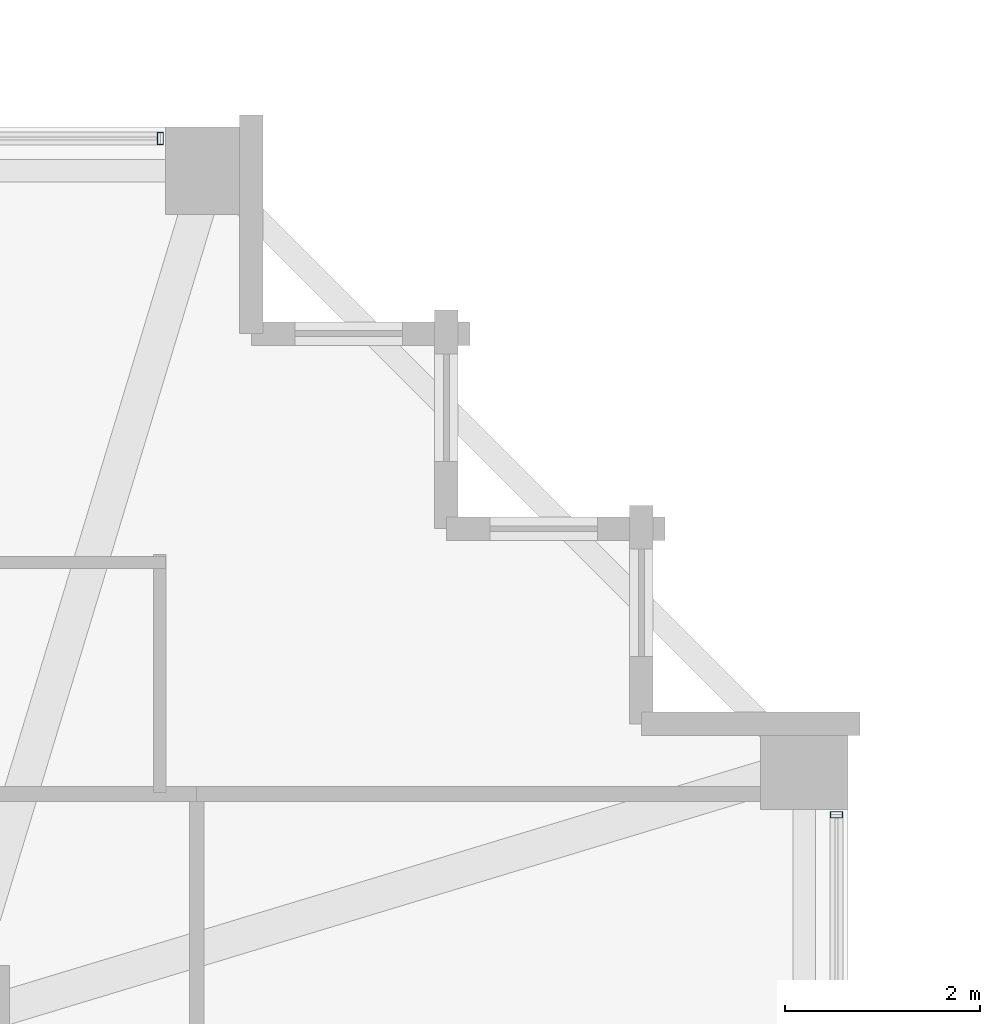
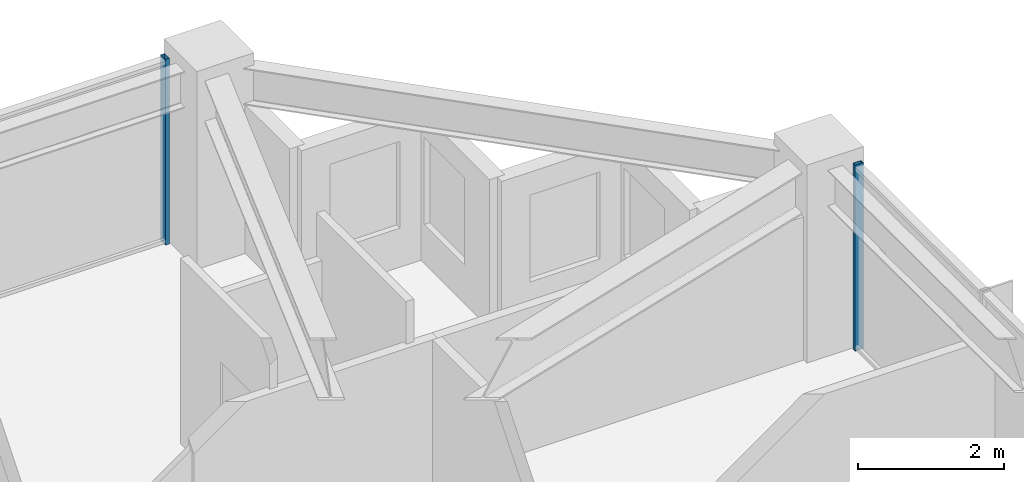
# One storey, part 24 of 35: 2 members, 2 elements without a shape of their own.
"""IFC4 building model written with IfcOpenShell, lengths in metres."""

from ifc_helpers import new_model, si_unit, direction, frame, origin, origin_2d, place, context, subcontext, project, spatial, hollow_rectangle, extrude, material, material_profile, profile_set, type_object, element, aggregate, save


model = new_model("IFC4")

# Units and contexts
model_context = context("Model", 3, precision=1e-05, world=origin(), true_north=direction((0.0, 1.0)))
body_context = subcontext(model_context, "Body", "Model", "MODEL_VIEW")
ifc_project = project(units=[si_unit("LENGTHUNIT", "METRE"), si_unit("AREAUNIT", "SQUARE_METRE"), si_unit("VOLUMEUNIT", "CUBIC_METRE"), si_unit("PLANEANGLEUNIT", "RADIAN"), si_unit("MASSUNIT", "GRAM", prefix="KILO")], contexts=[model_context])

# Site, building, storey
site_placement = place(None, origin())
site = spatial("IfcSite", under=ifc_project, at=site_placement, CompositionType="ELEMENT")
building_placement = place(site_placement, origin())
building = spatial("IfcBuilding", under=site, at=building_placement, Name="Kolvaren Belvedere", CompositionType="ELEMENT")
storey_placement = place(building_placement, frame((0.0, 0.0, 163.5)))
storey = spatial("IfcBuildingStorey", under=building, at=storey_placement, Name="L47", CompositionType="ELEMENT", Elevation=163.5)

# Curtain wall, member
ifc_material_1 = material(Name="Anodised pale-metal aluminium AA 6063-T6", Category="aluminium")
curtain_wall_type = type_object("IfcCurtainWallType", Name="CW-Z3-WAIST", PredefinedType="NOTDEFINED", material=ifc_material_1)
curtain_wall_1_placement = place(storey_placement, origin())
curtain_wall_1 = element("IfcCurtainWall", 1, at=curtain_wall_1_placement, inside=storey, type_object=curtain_wall_type, Name="L47 Unitised Curtain Wall FCW-L47-E1-B1", PredefinedType="NOTDEFINED")
ifc_material_2 = material(Name="Anodised pale-metal aluminium AA 6063-T6", Category="aluminium")
ifc_material_profile = material_profile(ifc_material_2, hollow_rectangle(XDim=0.06494140625, YDim=0.1298828125, WallThickness=0.00390625, at=origin_2d()), Name="ALU-MUL-130X65")
ifc_profile_set = profile_set([ifc_material_profile], Name="Anodised pale-metal aluminium AA 6063-T6")
member_type = type_object("IfcMemberType", Name="CW-MUL-130", PredefinedType="MULLION", material=ifc_profile_set)
member_1_placement = place(storey_placement, frame((18.97998046875, 12.047607421875, 0.0), z_axis=(0.0, 0.0, 1.0), x_axis=(0.0, 1.0, 0.0)))
member_1 = element("IfcMember", 2, at=member_1_placement, type_object=member_type, Name="FCW-L47-E1-B1 Unitised Mullion 1", PredefinedType="MULLION", context=body_context, shape_type="SweptSolid", body=[
    extrude(hollow_rectangle(XDim=0.06494140625, YDim=0.1298828125, WallThickness=0.00390625, at=origin_2d()), origin(), (0.0, 0.0, 1.0), 3.10009765625),
])
aggregate(curtain_wall_1, [member_1])

curtain_wall_2_placement = place(storey_placement, origin())
curtain_wall_2 = element("IfcCurtainWall", 3, at=curtain_wall_2_placement, inside=storey, type_object=curtain_wall_type, Name="L47 Unitised Curtain Wall FCW-L47-N-B3", PredefinedType="NOTDEFINED")
member_2_placement = place(storey_placement, frame((12.047607421875, 18.97998046875, 0.0), z_axis=(0.0, 0.0, 1.0), x_axis=(1.0, 0.0, 0.0)))
member_2 = element("IfcMember", 4, at=member_2_placement, type_object=member_type, Name="FCW-L47-N-B3 Unitised Mullion 3", PredefinedType="MULLION", context=body_context, shape_type="SweptSolid", body=[
    extrude(hollow_rectangle(XDim=0.06494140625, YDim=0.1298828125, WallThickness=0.00390625, at=origin_2d()), origin(), (0.0, 0.0, 1.0), 3.10009765625),
])
aggregate(curtain_wall_2, [member_2])

save(model, "model.ifc")
